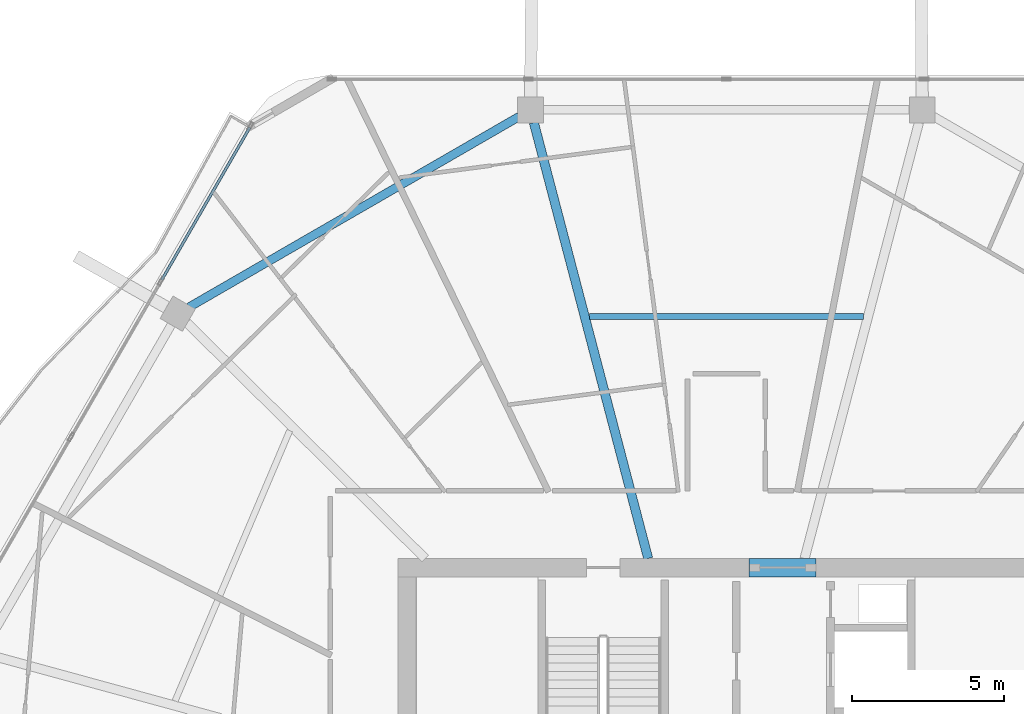
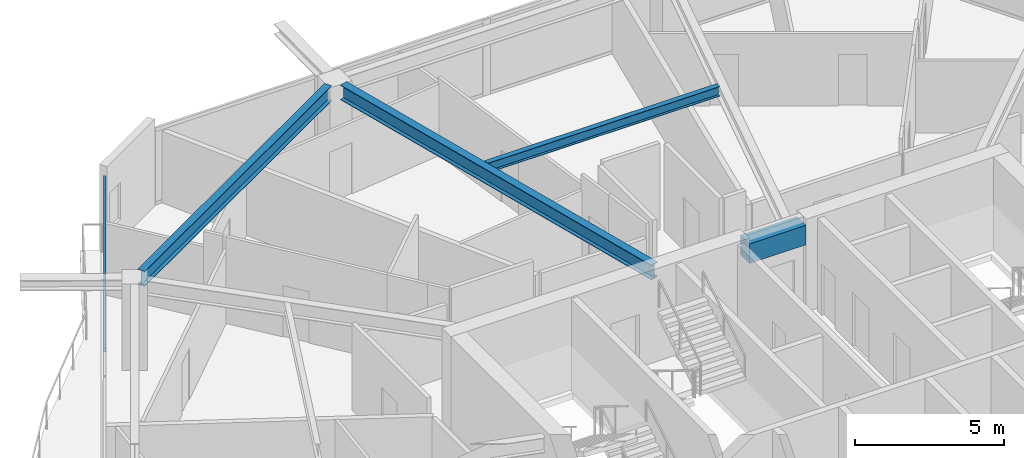
# One storey, part 12 of 26: 4 beams, 2 members, 1 element without a shape of its own.
"""IFC4 building model written with IfcOpenShell, lengths in metres."""

from ifc_helpers import new_model, si_unit, direction, frame, origin, origin_2d, place, context, subcontext, project, spatial, rectangle, hollow_rectangle, i_section, extrude, material, material_profile, profile_set, type_object, element, aggregate, save


model = new_model("IFC4")

# Units and contexts
model_context = context("Model", 3, precision=1e-05, world=origin(), true_north=direction((0.0, 1.0)))
body_context = subcontext(model_context, "Body", "Model", "MODEL_VIEW")
ifc_project = project(units=[si_unit("LENGTHUNIT", "METRE"), si_unit("AREAUNIT", "SQUARE_METRE"), si_unit("VOLUMEUNIT", "CUBIC_METRE"), si_unit("PLANEANGLEUNIT", "RADIAN"), si_unit("MASSUNIT", "GRAM", prefix="KILO")], contexts=[model_context])

# Site, building, storey
site_placement = place(None, origin())
site = spatial("IfcSite", under=ifc_project, at=site_placement, CompositionType="ELEMENT")
building_placement = place(site_placement, origin())
building = spatial("IfcBuilding", under=site, at=building_placement, Name="Zuhravey Tower", CompositionType="ELEMENT")
storey_placement = place(building_placement, frame((0.0, 0.0, 280.60009765625)))
storey = spatial("IfcBuildingStorey", under=building, at=storey_placement, Name="L71", CompositionType="ELEMENT", Elevation=280.60009765625)

# Beam
ifc_material_1 = material(Name="Concrete C50/60", Category="concrete")
ifc_material_profile_1 = material_profile(ifc_material_1, rectangle(XDim=0.60009765625, YDim=0.800048828125, at=origin_2d()), Name="RC-600x800")
ifc_profile_set_1 = profile_set([ifc_material_profile_1], Name="Concrete C50/60")
beam_type_1 = type_object("IfcBeamType", Name="Core Coupling Beam RC600x800", PredefinedType="LINTEL", material=ifc_profile_set_1)
beam_1_placement = place(storey_placement, frame((36.751953125, 41.5, 3.14990234375), z_axis=(1.0, 0.0, 0.0), x_axis=(0.0, 1.0, 0.0)))
element("IfcBeam", 1, at=beam_1_placement, inside=storey, type_object=beam_type_1, Name="L71 CB2 BM-L71-CB-N", PredefinedType="LINTEL", context=body_context, shape_type="SweptSolid", body=[
    extrude(rectangle(XDim=0.60009765625, YDim=0.800048828125, at=origin_2d()), origin(), (0.0, 0.0, 1.0), 2.196044921875),
])

# Curtain wall, members
ifc_material_2 = material(Name="Thermally broken anodised aluminium", Category="aluminium")
curtain_wall_type = type_object("IfcCurtainWallType", Name="Zone 3-4 High-Rise Curtain Wall CW4", PredefinedType="NOTDEFINED", material=ifc_material_2)
curtain_wall_placement = place(storey_placement, origin())
curtain_wall = element("IfcCurtainWall", 2, at=curtain_wall_placement, inside=storey, type_object=curtain_wall_type, Name="L71 CW4 CW-L71-F3-1", PredefinedType="NOTDEFINED")
ifc_material_3 = material(Name="Anodised aluminium", Category="aluminium")
ifc_material_profile_2 = material_profile(ifc_material_3, hollow_rectangle(XDim=0.090087890625, YDim=0.14990234375, WallThickness=0.0048828125, at=origin_2d()), Name="ALU-RHS-90x150x5")
ifc_profile_set_2 = profile_set([ifc_material_profile_2], Name="Anodised aluminium")
member_type = type_object("IfcMemberType", Name="Curtain-Wall Transom 90x150", PredefinedType="USERDEFINED", material=ifc_profile_set_2)
member_1_placement = place(storey_placement, frame((17.4306640625, 50.964111328125, 0.044921875), z_axis=(0.499984314267, 0.866034459757, 0.0), x_axis=(-0.866034459757, 0.499984314267, 0.0)))
member_1 = element("IfcMember", 3, at=member_1_placement, type_object=member_type, Name="CW4 transom 4.1", ObjectType="TRANSOM", PredefinedType="USERDEFINED", context=body_context, shape_type="SweptSolid", body=[
    extrude(hollow_rectangle(XDim=0.090087890625, YDim=0.14990234375, WallThickness=0.0048828125, at=origin_2d()), origin(), (0.0, 0.0, 1.0), 5.783935546875),
])
member_2_placement = place(storey_placement, frame((17.4306640625, 50.964111328125, 3.076904296875), z_axis=(0.499984314267, 0.866034459757, 0.0), x_axis=(-0.866034459757, 0.499984314267, 0.0)))
member_2 = element("IfcMember", 4, at=member_2_placement, type_object=member_type, Name="CW4 transom 4.2", ObjectType="TRANSOM", PredefinedType="USERDEFINED", context=body_context, shape_type="SweptSolid", body=[
    extrude(hollow_rectangle(XDim=0.090087890625, YDim=0.14990234375, WallThickness=0.0048828125, at=origin_2d()), origin(), (0.0, 0.0, 1.0), 5.783935546875),
])
aggregate(curtain_wall, [member_1, member_2])

# Beams
ifc_material_4 = material(Name="Steel SM355", Category="steel")
ifc_material_profile_3 = material_profile(ifc_material_4, i_section(OverallWidth=0.280029296875, OverallDepth=0.6201171875, WebThickness=0.011962890625, FlangeThickness=0.02001953125, at=origin_2d()), Name="H-620x280x12x20")
ifc_profile_set_3 = profile_set([ifc_material_profile_3], Name="Steel SM355")
beam_type_2 = type_object("IfcBeamType", Name="Perimeter Ring Beam H620x280", PredefinedType="BEAM", material=ifc_profile_set_3)
beam_2_placement = place(storey_placement, frame((29.1884765625, 56.339599609375, 3.239990234375), z_axis=(-0.866018312875, -0.500012281615, 0.0), x_axis=(0.500012281615, -0.866018312875, 0.0)))
element("IfcBeam", 5, at=beam_2_placement, inside=storey, type_object=beam_type_2, Name="L71 PB3 BM-L71-PB-04", PredefinedType="BEAM", context=body_context, shape_type="SweptSolid", body=[
    extrude(i_section(OverallWidth=0.280029296875, OverallDepth=0.6201171875, WebThickness=0.011962890625, FlangeThickness=0.02001953125, at=origin_2d()), origin(), (0.0, 0.0, 1.0), 12.541748046875),
])
ifc_material_profile_4 = material_profile(ifc_material_4, i_section(OverallWidth=0.300048828125, OverallDepth=0.60009765625, WebThickness=0.011962890625, FlangeThickness=0.02001953125, at=origin_2d()), Name="H-600x300x12x20")
ifc_profile_set_4 = profile_set([ifc_material_profile_4], Name="Steel SM355")
beam_type_3 = type_object("IfcBeamType", Name="Radial Primary Girder H600x300", PredefinedType="BEAM", material=ifc_profile_set_4)
beam_3_placement = place(storey_placement, frame((33.428466796875, 41.802978515625, 3.25), z_axis=(-0.25373188956, 0.967274587809, 0.0), x_axis=(-0.967274587809, -0.25373188956, 0.0)))
element("IfcBeam", 6, at=beam_3_placement, inside=storey, type_object=beam_type_3, Name="L71 RG3 BM-L71-RAD-04", PredefinedType="BEAM", context=body_context, shape_type="SweptSolid", body=[
    extrude(i_section(OverallWidth=0.300048828125, OverallDepth=0.60009765625, WebThickness=0.011962890625, FlangeThickness=0.02001953125, at=origin_2d()), origin(), (0.0, 0.0, 1.0), 14.82177734375),
])
ifc_material_profile_5 = material_profile(ifc_material_4, i_section(OverallWidth=0.199951171875, OverallDepth=0.39990234375, WebThickness=0.008056640625, FlangeThickness=0.012939453125, at=origin_2d()), Name="H-400x200x8x13")
ifc_profile_set_5 = profile_set([ifc_material_profile_5], Name="Steel SM355")
beam_type_4 = type_object("IfcBeamType", Name="Secondary Floor Joist H400x200", PredefinedType="JOIST", material=ifc_profile_set_5)
beam_4_placement = place(storey_placement, frame((40.507080078125, 49.768310546875, 3.349853515625), z_axis=(-1.0, 0.0, 0.0), x_axis=(0.0, -1.0, 0.0)))
element("IfcBeam", 7, at=beam_4_placement, inside=storey, type_object=beam_type_4, Name="L71 SJ2 BM-L71-SJ-03-1", PredefinedType="JOIST", context=body_context, shape_type="SweptSolid", body=[
    extrude(i_section(OverallWidth=0.199951171875, OverallDepth=0.39990234375, WebThickness=0.008056640625, FlangeThickness=0.012939453125, at=origin_2d()), origin(), (0.0, 0.0, 1.0), 9.01416015625),
])

save(model, "model.ifc")
